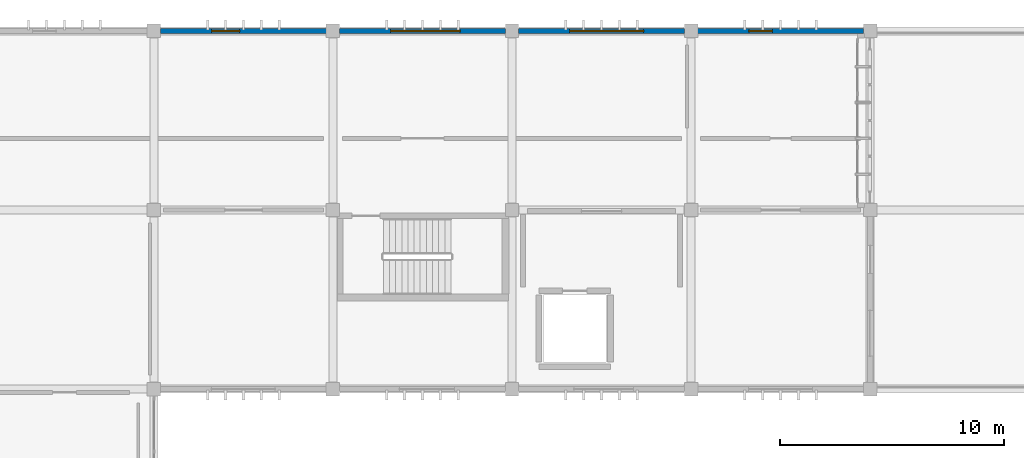
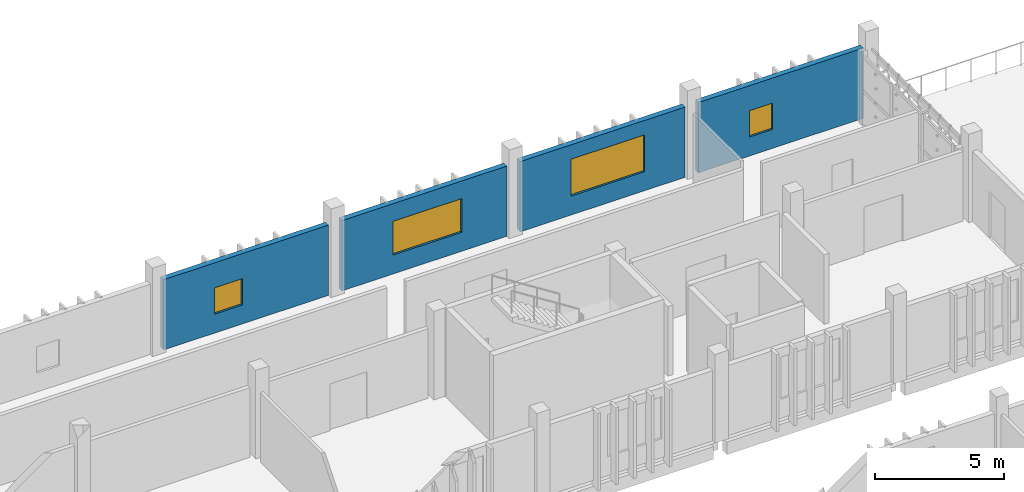
# One storey, part 39 of 48: 4 walls, 4 windows, 4 openings.
"""IFC4 building model written with IfcOpenShell, lengths in metres."""

from ifc_helpers import new_model, si_unit, direction, frame, frame_2d, origin, place, context, subcontext, project, spatial, rectangle, extrude, material, layer, layer_set, type_object, element, fill, save


model = new_model("IFC4")

# Units and contexts
model_context = context("Model", 3, precision=1e-05, world=origin(), true_north=direction((0.0, 1.0)))
body_context = subcontext(model_context, "Body", "Model", "MODEL_VIEW")
ifc_project = project(units=[si_unit("LENGTHUNIT", "METRE"), si_unit("AREAUNIT", "SQUARE_METRE"), si_unit("VOLUMEUNIT", "CUBIC_METRE"), si_unit("PLANEANGLEUNIT", "RADIAN"), si_unit("MASSUNIT", "GRAM", prefix="KILO")], contexts=[model_context])

# Site, building, storey
site_placement = place(None, origin())
site = spatial("IfcSite", under=ifc_project, at=site_placement, CompositionType="ELEMENT")
building_placement = place(site_placement, origin())
building = spatial("IfcBuilding", under=site, at=building_placement, Name="Jelvoka-Kovrelna Polytechnic", CompositionType="ELEMENT")
storey_placement = place(building_placement, frame((0.0, 0.0, 22.199951171875)))
storey = spatial("IfcBuildingStorey", under=building, at=storey_placement, Name="L06", CompositionType="ELEMENT", Elevation=22.199951171875)

# Wall, opening, window
ifc_material_1 = material(Name="Precast concrete C40/50", Category="concrete")
ifc_layer = layer(ifc_material_1, 0.239990234375)
ifc_layer_set = layer_set([ifc_layer], Name="Precast concrete C40/50")
wall_type = type_object("IfcWallType", Name="Wall_Ext_White_240", PredefinedType="STANDARD", material=ifc_layer_set)
wall_1_placement = place(storey_placement, frame((152.297119140625, 72.0, 0.0), z_axis=(0.0, 0.0, 1.0), x_axis=(1.0, 0.0, 0.0)))
wall_1 = element("IfcWall", 1, at=wall_1_placement, inside=storey, type_object=wall_type, Name="L06 exterior wall 0768", PredefinedType="STANDARD", context=body_context, shape_type="SweptSolid", body=[
    extrude(rectangle(XDim=7.40576171875, YDim=0.239990234375, at=frame_2d((3.702880859375, 0.0))), origin(), (0.0, 0.0, 1.0), 3.3349609375),
])
opening_1_placement = place(wall_1_placement, frame((2.282958984375, 0.0, 0.89990234375)))
opening_1 = element("IfcOpeningElement", 2, at=opening_1_placement, cuts=wall_1, Name="Opening W-L06-426", PredefinedType="OPENING", context=body_context, shape_type="SweptSolid", body=[
    extrude(rectangle(XDim=1.25, YDim=1.25, at=frame_2d((0.625, 0.625))), frame((0.0, 0.130126953125, 0.0), z_axis=(0.0, -1.0, 0.0), x_axis=(1.0, 0.0, 0.0)), (0.0, 0.0, 1.0), 0.260009765625),
])
ifc_material_2 = material(Name="Thermally broken anodised aluminium and low-e glazing", Category="aluminium")
window_type_1 = type_object("IfcWindowType", Name="Win_Casement_W02", PartitioningType="SINGLE_PANEL", PredefinedType="WINDOW", material=ifc_material_2)
window_1_placement = place(opening_1_placement, origin())
window_1 = element("IfcWindow", 3, at=window_1_placement, inside=storey, type_object=window_type_1, Name="L06 aluminium casement window W-L06-426", OverallHeight=1.25, OverallWidth=1.25, PartitioningType="SINGLE_PANEL", PredefinedType="WINDOW", context=body_context, shape_type="SweptSolid", body=[
    extrude(rectangle(XDim=1.25, YDim=1.25, at=frame_2d((0.625, 0.625))), frame((0.0, 0.030029296875, 0.0), z_axis=(0.0, -1.0, 0.0), x_axis=(1.0, 0.0, 0.0)), (0.0, 0.0, 1.0), 0.06005859375),
])
fill(opening_1, window_1)

wall_2_placement = place(storey_placement, frame((160.297119140625, 72.0, 0.0), z_axis=(0.0, 0.0, 1.0), x_axis=(1.0, 0.0, 0.0)))
wall_2 = element("IfcWall", 4, at=wall_2_placement, inside=storey, type_object=wall_type, Name="L06 exterior wall 0770", PredefinedType="STANDARD", context=body_context, shape_type="SweptSolid", body=[
    extrude(rectangle(XDim=7.40576171875, YDim=0.239990234375, at=frame_2d((3.702880859375, 0.0))), origin(), (0.0, 0.0, 1.0), 3.3349609375),
])
opening_2_placement = place(wall_2_placement, frame((2.282958984375, 0.0, 0.89990234375)))
opening_2 = element("IfcOpeningElement", 5, at=opening_2_placement, cuts=wall_2, Name="Opening W-L06-428", PredefinedType="OPENING", context=body_context, shape_type="SweptSolid", body=[
    extrude(rectangle(XDim=3.10009765625, YDim=1.60009765625, at=frame_2d((1.550048828125, 0.800048828125))), frame((0.0, 0.130126953125, 0.0), z_axis=(0.0, -1.0, 0.0), x_axis=(1.0, 0.0, 0.0)), (0.0, 0.0, 1.0), 0.260009765625),
])
ifc_material_3 = material(Name="Thermally broken anodised aluminium and low-e glazing", Category="aluminium")
window_type_2 = type_object("IfcWindowType", Name="Win_Casement_W61", PartitioningType="DOUBLE_PANEL_VERTICAL", PredefinedType="WINDOW", material=ifc_material_3)
window_2_placement = place(opening_2_placement, origin())
window_2 = element("IfcWindow", 6, at=window_2_placement, inside=storey, type_object=window_type_2, Name="L06 aluminium casement window W-L06-428", OverallHeight=1.60009765625, OverallWidth=3.10009765625, PartitioningType="DOUBLE_PANEL_VERTICAL", PredefinedType="WINDOW", context=body_context, shape_type="SweptSolid", body=[
    extrude(rectangle(XDim=3.10009765625, YDim=1.60009765625, at=frame_2d((1.550048828125, 0.800048828125))), frame((0.0, 0.030029296875, 0.0), z_axis=(0.0, -1.0, 0.0), x_axis=(1.0, 0.0, 0.0)), (0.0, 0.0, 1.0), 0.06005859375),
])
fill(opening_2, window_2)

wall_3_placement = place(storey_placement, frame((168.297119140625, 72.0, 0.0), z_axis=(0.0, 0.0, 1.0), x_axis=(1.0, 0.0, 0.0)))
wall_3 = element("IfcWall", 7, at=wall_3_placement, inside=storey, type_object=wall_type, Name="L06 exterior wall 0772", PredefinedType="STANDARD", context=body_context, shape_type="SweptSolid", body=[
    extrude(rectangle(XDim=7.40576171875, YDim=0.239990234375, at=frame_2d((3.702880859375, 0.0))), origin(), (0.0, 0.0, 1.0), 3.3349609375),
])
opening_3_placement = place(wall_3_placement, frame((2.282958984375, 0.0, 0.89990234375)))
opening_3 = element("IfcOpeningElement", 8, at=opening_3_placement, cuts=wall_3, Name="Opening W-L06-430", PredefinedType="OPENING", context=body_context, shape_type="SweptSolid", body=[
    extrude(rectangle(XDim=3.300048828125, YDim=1.75, at=frame_2d((1.64990234375, 0.875))), frame((0.0, 0.130126953125, 0.0), z_axis=(0.0, -1.0, 0.0), x_axis=(1.0, 0.0, 0.0)), (0.0, 0.0, 1.0), 0.260009765625),
])
ifc_material_4 = material(Name="Thermally broken anodised aluminium and low-e glazing", Category="aluminium")
window_type_3 = type_object("IfcWindowType", Name="Win_Casement_W62", PartitioningType="DOUBLE_PANEL_VERTICAL", PredefinedType="WINDOW", material=ifc_material_4)
window_3_placement = place(opening_3_placement, origin())
window_3 = element("IfcWindow", 9, at=window_3_placement, inside=storey, type_object=window_type_3, Name="L06 aluminium casement window W-L06-430", OverallHeight=1.75, OverallWidth=3.300048828125, PartitioningType="DOUBLE_PANEL_VERTICAL", PredefinedType="WINDOW", context=body_context, shape_type="SweptSolid", body=[
    extrude(rectangle(XDim=3.300048828125, YDim=1.75, at=frame_2d((1.64990234375, 0.875))), frame((0.0, 0.030029296875, 0.0), z_axis=(0.0, -1.0, 0.0), x_axis=(1.0, 0.0, 0.0)), (0.0, 0.0, 1.0), 0.06005859375),
])
fill(opening_3, window_3)

wall_4_placement = place(storey_placement, frame((176.297119140625, 72.0, 0.0), z_axis=(0.0, 0.0, 1.0), x_axis=(1.0, 0.0, 0.0)))
wall_4 = element("IfcWall", 10, at=wall_4_placement, inside=storey, type_object=wall_type, Name="L06 exterior wall 0774", PredefinedType="STANDARD", context=body_context, shape_type="SweptSolid", body=[
    extrude(rectangle(XDim=7.40576171875, YDim=0.239990234375, at=frame_2d((3.702880859375, 0.0))), origin(), (0.0, 0.0, 1.0), 3.3349609375),
])
opening_4_placement = place(wall_4_placement, frame((2.282958984375, 0.0, 0.89990234375)))
opening_4 = element("IfcOpeningElement", 11, at=opening_4_placement, cuts=wall_4, Name="Opening W-L06-432", PredefinedType="OPENING", context=body_context, shape_type="SweptSolid", body=[
    extrude(rectangle(XDim=1.050048828125, YDim=1.25, at=frame_2d((0.52490234375, 0.625))), frame((0.0, 0.130126953125, 0.0), z_axis=(0.0, -1.0, 0.0), x_axis=(1.0, 0.0, 0.0)), (0.0, 0.0, 1.0), 0.260009765625),
])
ifc_material_5 = material(Name="Thermally broken anodised aluminium and low-e glazing", Category="aluminium")
window_type_4 = type_object("IfcWindowType", Name="Win_Casement_W01", PartitioningType="SINGLE_PANEL", PredefinedType="WINDOW", material=ifc_material_5)
window_4_placement = place(opening_4_placement, origin())
window_4 = element("IfcWindow", 12, at=window_4_placement, inside=storey, type_object=window_type_4, Name="L06 aluminium casement window W-L06-432", OverallHeight=1.25, OverallWidth=1.050048828125, PartitioningType="SINGLE_PANEL", PredefinedType="WINDOW", context=body_context, shape_type="SweptSolid", body=[
    extrude(rectangle(XDim=1.050048828125, YDim=1.25, at=frame_2d((0.52490234375, 0.625))), frame((0.0, 0.030029296875, 0.0), z_axis=(0.0, -1.0, 0.0), x_axis=(1.0, 0.0, 0.0)), (0.0, 0.0, 1.0), 0.06005859375),
])
fill(opening_4, window_4)

save(model, "model.ifc")
